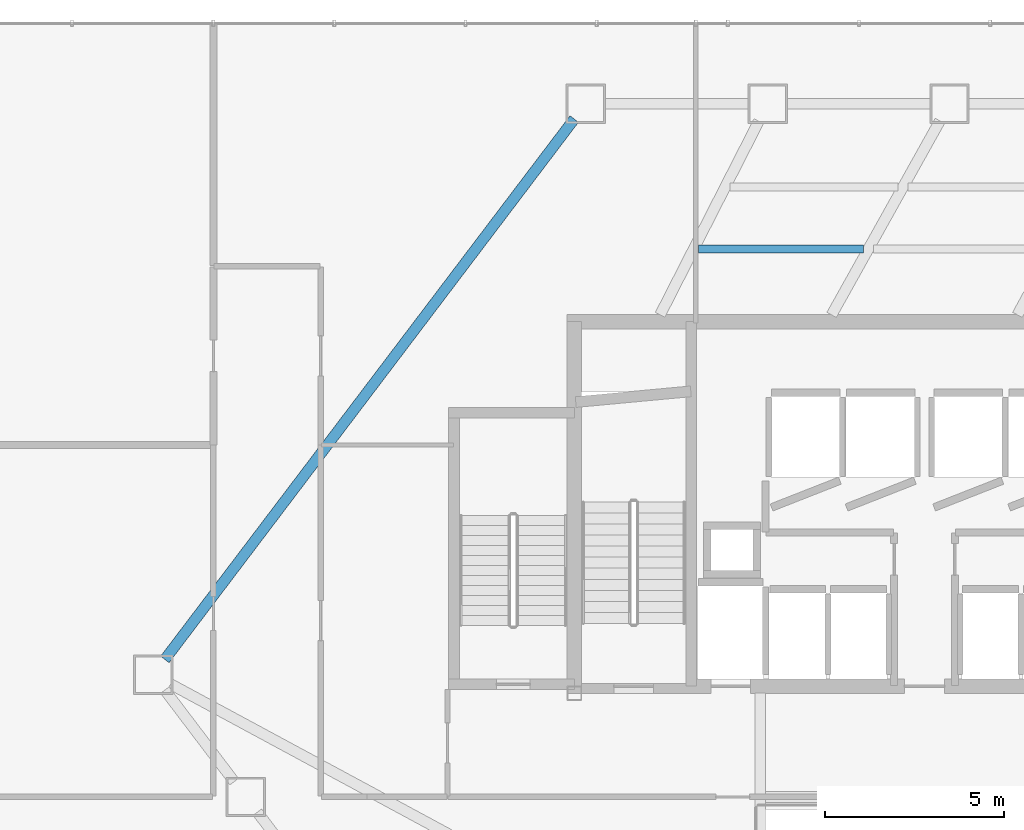
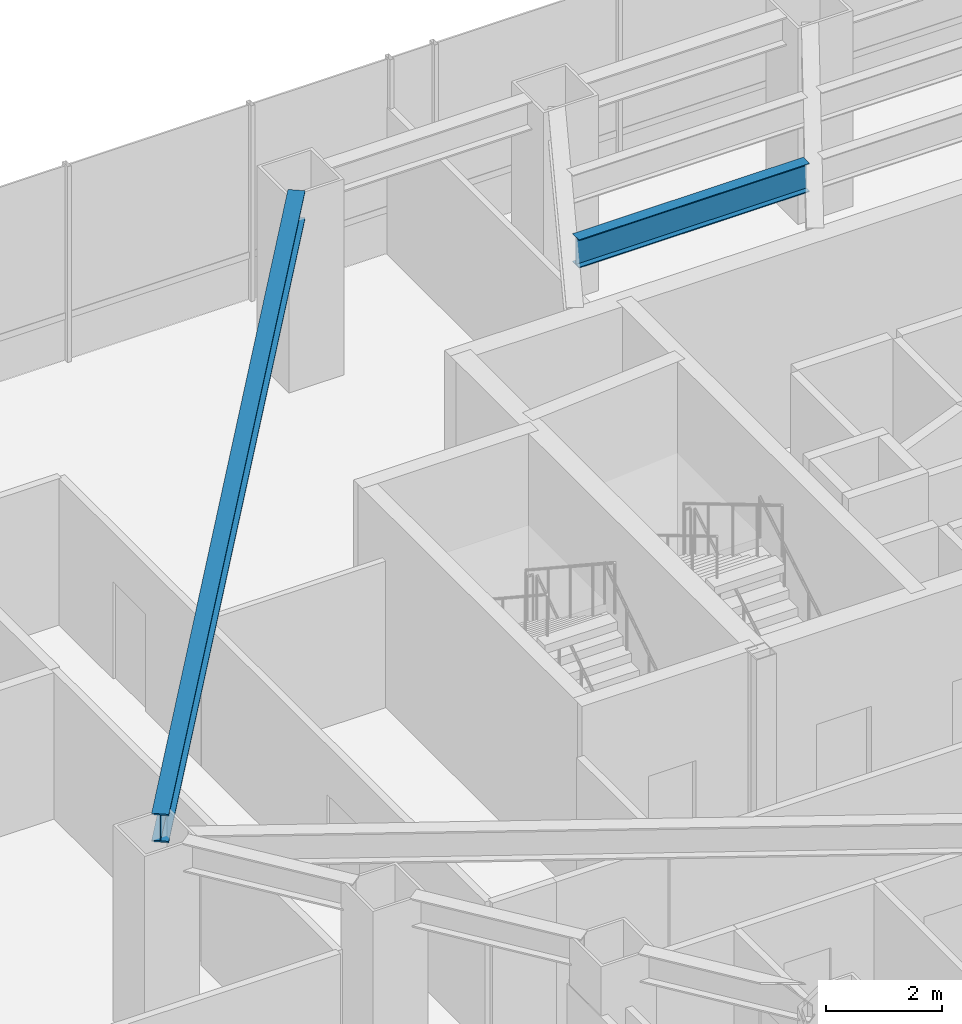
# One storey, part 18 of 37: 2 beams.
"""IFC4 building model written with IfcOpenShell, lengths in metres."""

from ifc_helpers import new_model, si_unit, direction, frame, origin, origin_2d, place, context, subcontext, project, spatial, i_section, extrude, material, material_profile, profile_set, type_object, element, save


model = new_model("IFC4")

# Units and contexts
model_context = context("Model", 3, precision=1e-05, world=origin(), true_north=direction((0.0, 1.0)))
body_context = subcontext(model_context, "Body", "Model", "MODEL_VIEW")
ifc_project = project(units=[si_unit("LENGTHUNIT", "METRE"), si_unit("AREAUNIT", "SQUARE_METRE"), si_unit("VOLUMEUNIT", "CUBIC_METRE"), si_unit("PLANEANGLEUNIT", "RADIAN"), si_unit("MASSUNIT", "GRAM", prefix="KILO")], contexts=[model_context])

# Site, building, storey
site_placement = place(None, origin())
site = spatial("IfcSite", under=ifc_project, at=site_placement, CompositionType="ELEMENT")
building_placement = place(site_placement, origin())
building = spatial("IfcBuilding", under=site, at=building_placement, Name="Zarrinselat Tower", CompositionType="ELEMENT")
storey_placement = place(building_placement, frame((0.0, 0.0, 9.52001953125)))
storey = spatial("IfcBuildingStorey", under=building, at=storey_placement, Name="L02", CompositionType="ELEMENT", Elevation=9.52001953125)

# Beams
ifc_material_1 = material(Name="Steel S355J2", Category="steel")
ifc_material_profile_1 = material_profile(ifc_material_1, i_section(OverallWidth=0.300048828125, OverallDepth=0.60009765625, WebThickness=0.015380859375, FlangeThickness=0.030029296875, at=origin_2d()), Name="HEB 600")
ifc_profile_set_1 = profile_set([ifc_material_profile_1], Name="Steel S355J2")
beam_type_1 = type_object("IfcBeamType", Name="BM-HEB600", PredefinedType="BEAM", material=ifc_profile_set_1)
beam_1_placement = place(storey_placement, frame((17.140380859375, 33.996826171875, 3.840087890625), z_axis=(0.603857192537, 0.797092523501, 0.0), x_axis=(-0.797092523501, 0.603857192537, 0.0)))
element("IfcBeam", 1, at=beam_1_placement, inside=storey, type_object=beam_type_1, Name="L02 Perimeter Spandrel Girder SP05", PredefinedType="BEAM", context=body_context, shape_type="SweptSolid", body=[
    extrude(i_section(OverallWidth=0.300048828125, OverallDepth=0.60009765625, WebThickness=0.015380859375, FlangeThickness=0.030029296875, at=origin_2d()), origin(), (0.0, 0.0, 1.0), 18.974365234375),
])
ifc_material_2 = material(Name="Steel S355J2", Category="steel")
ifc_material_profile_2 = material_profile(ifc_material_2, i_section(OverallWidth=0.219970703125, OverallDepth=0.60009765625, WebThickness=0.011962890625, FlangeThickness=0.01904296875, at=origin_2d()), Name="IPE 600")
ifc_profile_set_2 = profile_set([ifc_material_profile_2], Name="Steel S355J2")
beam_type_2 = type_object("IfcBeamType", Name="BM-IPE600", PredefinedType="JOIST", material=ifc_profile_set_2)
beam_2_placement = place(storey_placement, frame((32.07861328125, 45.482421875, 3.840087890625), z_axis=(0.999999798224, 0.000635256621, 0.0), x_axis=(-0.000635256621, 0.999999798224, 0.0)))
element("IfcBeam", 2, at=beam_2_placement, inside=storey, type_object=beam_type_2, Name="L02 Composite Floor Joist 9-2", PredefinedType="JOIST", context=body_context, shape_type="SweptSolid", body=[
    extrude(i_section(OverallWidth=0.219970703125, OverallDepth=0.60009765625, WebThickness=0.011962890625, FlangeThickness=0.01904296875, at=origin_2d()), origin(), (0.0, 0.0, 1.0), 4.61181640625),
])

save(model, "model.ifc")
